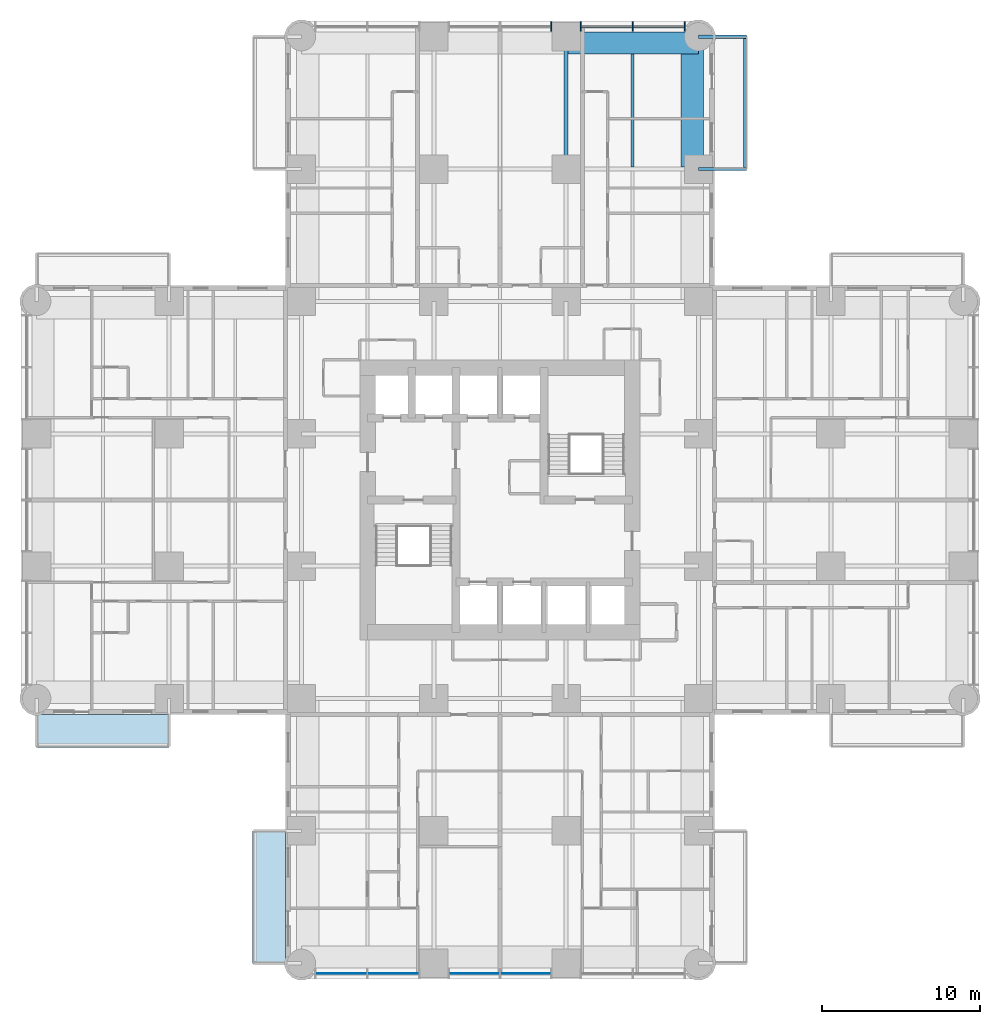
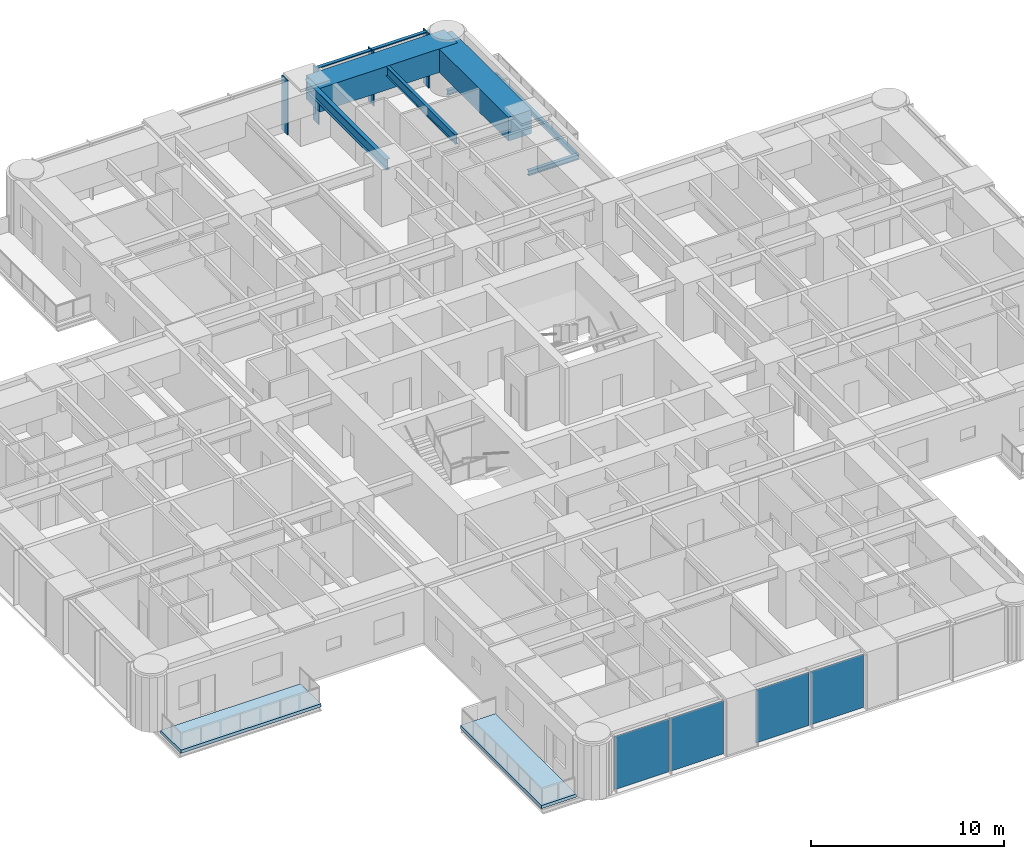
# One storey, part 5 of 17: 7 beams, 6 members, 4 plates, 2 slabs, 2 elements without a shape of their own.
"""IFC4 building model written with IfcOpenShell, lengths in metres."""

from ifc_helpers import new_model, si_unit, direction, frame, origin, origin_2d, place, context, subcontext, project, spatial, polyline, rectangle, i_section, outline, extrude, material, layer, layer_set, material_profile, profile_set, type_object, element, aggregate, save


model = new_model("IFC4")

# Units and contexts
model_context = context("Model", 3, precision=1e-05, world=origin(), true_north=direction((0.0, 1.0)))
body_context = subcontext(model_context, "Body", "Model", "MODEL_VIEW")
ifc_project = project(units=[si_unit("LENGTHUNIT", "METRE"), si_unit("AREAUNIT", "SQUARE_METRE"), si_unit("VOLUMEUNIT", "CUBIC_METRE"), si_unit("PLANEANGLEUNIT", "RADIAN"), si_unit("MASSUNIT", "GRAM", prefix="KILO")], contexts=[model_context])

# Site, building, storey
site_placement = place(None, origin())
site = spatial("IfcSite", under=ifc_project, at=site_placement, CompositionType="ELEMENT")
building_placement = place(site_placement, origin())
building = spatial("IfcBuilding", under=site, at=building_placement, Name="Torre Alcanfor", CompositionType="ELEMENT")
storey_placement = place(building_placement, frame((0.0, 0.0, 92.10009765625)))
storey = spatial("IfcBuildingStorey", under=building, at=storey_placement, Name="L23", CompositionType="ELEMENT", Elevation=92.10009765625)

# Beams
ifc_material_1 = material(Name="Steel ASTM A992 Grade 50", Category="steel")
ifc_material_profile_1 = material_profile(ifc_material_1, i_section(OverallWidth=0.205322265625, OverallDepth=0.309814453125, WebThickness=0.00927734375, FlangeThickness=0.016357421875, at=origin_2d()), Name="W12x50")
ifc_profile_set_1 = profile_set([ifc_material_profile_1], Name="Steel ASTM A992 Grade 50")
beam_type_1 = type_object("IfcBeamType", Name="Balcony cantilever beam W12x50", PredefinedType="BEAM", material=ifc_profile_set_1)
for number, where, z_axis, x_axis, name in (
    (1, (42.0, 50.39990234375, -0.35498046875), (1.0, 0.0, 0.0), (0.0, 1.0, 0.0), "Balcony cantilever beam L23-N2 1"),
    (2, (42.0, 58.800048828125, -0.35498046875), (1.0, 0.0, 0.0), (0.0, 1.0, 0.0), "Balcony cantilever beam L23-N2 2"),
):
    element("IfcBeam", number, at=place(storey_placement, frame(where, z_axis=z_axis, x_axis=x_axis)), inside=storey, type_object=beam_type_1, Name=name, PredefinedType="BEAM", context=body_context, shape_type="SweptSolid", body=[
        extrude(i_section(OverallWidth=0.205322265625, OverallDepth=0.309814453125, WebThickness=0.00927734375, FlangeThickness=0.016357421875, at=origin_2d()), origin(), (0.0, 0.0, 1.0), 3.050048828125),
    ])
ifc_material_2 = material(Name="Steel ASTM A992 Grade 50", Category="steel")
ifc_material_profile_2 = material_profile(ifc_material_2, i_section(OverallWidth=0.203369140625, OverallDepth=0.30224609375, WebThickness=0.007568359375, FlangeThickness=0.01318359375, at=origin_2d()), Name="W12x40")
ifc_profile_set_2 = profile_set([ifc_material_profile_2], Name="Steel ASTM A992 Grade 50")
beam_type_2 = type_object("IfcBeamType", Name="Balcony edge trimmer W12x40", PredefinedType="BEAM", material=ifc_profile_set_2)
beam_1_placement = place(storey_placement, frame((44.9482421875, 50.39990234375, -0.351318359375), z_axis=(0.0, 1.0, 0.0), x_axis=(-1.0, 0.0, 0.0)))
element("IfcBeam", 3, at=beam_1_placement, inside=storey, type_object=beam_type_2, Name="Balcony edge trimmer L23-N2", PredefinedType="BEAM", context=body_context, shape_type="SweptSolid", body=[
    extrude(i_section(OverallWidth=0.203369140625, OverallDepth=0.30224609375, WebThickness=0.007568359375, FlangeThickness=0.01318359375, at=origin_2d()), origin(), (0.0, 0.0, 1.0), 8.400146484375),
])

# Curtain wall, members
ifc_material_3 = material(Name="Aluminium and glass", Category="aluminium")
curtain_wall_type = type_object("IfcCurtainWallType", Name="CW-A unitised apartment glazing with vertical FIN", PredefinedType="NOTDEFINED", material=ifc_material_3)
curtain_wall_1_placement = place(storey_placement, origin())
curtain_wall_1 = element("IfcCurtainWall", 4, at=curtain_wall_1_placement, inside=storey, type_object=curtain_wall_type, Name="Curtain wall CW-A L23 11", PredefinedType="NOTDEFINED")
ifc_material_4 = material(Name="Bronze anodised aluminium", Category="aluminium")
ifc_material_profile_3 = material_profile(ifc_material_4, rectangle(XDim=0.60009765625, YDim=0.06494140625, at=origin_2d()), Name="CW-A mullion 65x600")
ifc_profile_set_3 = profile_set([ifc_material_profile_3], Name="Bronze anodised aluminium")
member_type_1 = type_object("IfcMemberType", Name="CW-A mullion with vertical FIN 65x600", PredefinedType="MULLION", material=ifc_profile_set_3)
member_1_placement = place(storey_placement, frame((41.133056640625, 59.449951171875, 0.0), z_axis=(0.0, 0.0, 1.0), x_axis=(0.0, -1.0, 0.0)))
member_1 = element("IfcMember", 5, at=member_1_placement, type_object=member_type_1, Name="CW-A mullion 1.1", PredefinedType="MULLION", context=body_context, shape_type="SweptSolid", body=[
    extrude(rectangle(XDim=0.60009765625, YDim=0.06494140625, at=origin_2d()), origin(), (0.0, 0.0, 1.0), 3.449951171875),
])
member_2_placement = place(storey_placement, frame((37.835205078125, 59.449951171875, 0.0), z_axis=(0.0, 0.0, 1.0), x_axis=(0.0, -1.0, 0.0)))
member_2 = element("IfcMember", 6, at=member_2_placement, type_object=member_type_1, Name="CW-A mullion 1.2", PredefinedType="MULLION", context=body_context, shape_type="SweptSolid", body=[
    extrude(rectangle(XDim=0.60009765625, YDim=0.06494140625, at=origin_2d()), origin(), (0.0, 0.0, 1.0), 3.449951171875),
])
member_3_placement = place(storey_placement, frame((34.53759765625, 59.449951171875, 0.0), z_axis=(0.0, 0.0, 1.0), x_axis=(0.0, -1.0, 0.0)))
member_3 = element("IfcMember", 7, at=member_3_placement, type_object=member_type_1, Name="CW-A mullion 1.3", PredefinedType="MULLION", context=body_context, shape_type="SweptSolid", body=[
    extrude(rectangle(XDim=0.60009765625, YDim=0.06494140625, at=origin_2d()), origin(), (0.0, 0.0, 1.0), 3.449951171875),
])
member_4_placement = place(storey_placement, frame((32.66259765625, 59.449951171875, 0.0), z_axis=(0.0, 0.0, 1.0), x_axis=(0.0, -1.0, 0.0)))
member_4 = element("IfcMember", 8, at=member_4_placement, type_object=member_type_1, Name="CW-A mullion 2.1", PredefinedType="MULLION", context=body_context, shape_type="SweptSolid", body=[
    extrude(rectangle(XDim=0.60009765625, YDim=0.06494140625, at=origin_2d()), origin(), (0.0, 0.0, 1.0), 3.449951171875),
])
ifc_material_5 = material(Name="Extruded aluminium", Category="aluminium")
ifc_material_profile_4 = material_profile(ifc_material_5, rectangle(XDim=0.199951171875, YDim=0.06494140625, at=origin_2d()), Name="CW-A transom 200x65")
ifc_profile_set_4 = profile_set([ifc_material_profile_4], Name="Extruded aluminium")
member_type_2 = type_object("IfcMemberType", Name="CW-A transom 65x200", PredefinedType="USERDEFINED", material=ifc_profile_set_4)
member_5_placement = place(storey_placement, frame((41.1005859375, 59.449951171875, 3.41748046875), z_axis=(-1.0, 0.0, 0.0), x_axis=(0.0, -1.0, 0.0)))
member_5 = element("IfcMember", 9, at=member_5_placement, type_object=member_type_2, Name="CW-A transom 1.1.2", ObjectType="TRANSOM", PredefinedType="USERDEFINED", context=body_context, shape_type="SweptSolid", body=[
    extrude(rectangle(XDim=0.199951171875, YDim=0.06494140625, at=origin_2d()), origin(), (0.0, 0.0, 1.0), 3.23291015625),
])
member_6_placement = place(storey_placement, frame((37.802734375, 59.449951171875, 3.41748046875), z_axis=(-1.0, 0.0, 0.0), x_axis=(0.0, -1.0, 0.0)))
member_6 = element("IfcMember", 10, at=member_6_placement, type_object=member_type_2, Name="CW-A transom 1.2.2", ObjectType="TRANSOM", PredefinedType="USERDEFINED", context=body_context, shape_type="SweptSolid", body=[
    extrude(rectangle(XDim=0.199951171875, YDim=0.06494140625, at=origin_2d()), origin(), (0.0, 0.0, 1.0), 3.232666015625),
])
aggregate(curtain_wall_1, [member_1, member_2, member_3, member_5, member_6, member_4])

# Beams
ifc_material_6 = material(Name="Steel ASTM A992 Grade 50", Category="steel")
ifc_material_profile_5 = material_profile(ifc_material_6, i_section(OverallWidth=0.25390625, OverallDepth=0.683349609375, WebThickness=0.012451171875, FlangeThickness=0.01904296875, at=origin_2d()), Name="W27x94")
ifc_profile_set_5 = profile_set([ifc_material_profile_5], Name="Steel ASTM A992 Grade 50")
beam_type_3 = type_object("IfcBeamType", Name="Girder W27x94", PredefinedType="BEAM", material=ifc_profile_set_5)
beam_2_placement = place(storey_placement, frame((33.60009765625, 50.39990234375, 3.108154296875), z_axis=(0.0, 1.0, 0.0), x_axis=(-1.0, 0.0, 0.0)))
element("IfcBeam", 11, at=beam_2_placement, inside=storey, type_object=beam_type_3, Name="Beam 5J-5K under L24", PredefinedType="BEAM", context=body_context, shape_type="SweptSolid", body=[
    extrude(i_section(OverallWidth=0.25390625, OverallDepth=0.683349609375, WebThickness=0.012451171875, FlangeThickness=0.01904296875, at=origin_2d()), origin(), (0.0, 0.0, 1.0), 8.400146484375),
])
ifc_material_7 = material(Name="Concrete f'c 70 MPa", Category="concrete")
ifc_material_profile_6 = material_profile(ifc_material_7, rectangle(XDim=1.39990234375, YDim=1.5, at=origin_2d()), Name="1400x1500")
ifc_profile_set_6 = profile_set([ifc_material_profile_6], Name="Concrete f'c 70 MPa")
beam_type_4 = type_object("IfcBeamType", Name="RC perimeter beam 1400x1500", PredefinedType="BEAM", material=ifc_profile_set_6)
for number, where, z_axis, x_axis, name in (
    (12, (33.72705078125, 58.39990234375, 2.699951171875), (1.0, 0.0, 0.0), (0.0, 1.0, 0.0), "Beam 5K-6K under L24"),
    (13, (41.60009765625, 50.527099609375, 2.699951171875), (0.0, 1.0, 0.0), (-1.0, 0.0, 0.0), "Beam 6J-6K under L24"),
):
    element("IfcBeam", number, at=place(storey_placement, frame(where, z_axis=z_axis, x_axis=x_axis)), inside=storey, type_object=beam_type_4, Name=name, PredefinedType="BEAM", context=body_context, shape_type="SweptSolid", body=[
        extrude(rectangle(XDim=1.39990234375, YDim=1.5, at=origin_2d()), origin(), (0.0, 0.0, 1.0), 8.27294921875),
    ])
ifc_material_8 = material(Name="Steel ASTM A992 Grade 50", Category="steel")
ifc_material_profile_7 = material_profile(ifc_material_8, i_section(OverallWidth=0.1787109375, OverallDepth=0.60205078125, WebThickness=0.010986328125, FlangeThickness=0.014892578125, at=origin_2d()), Name="W24x62")
ifc_profile_set_7 = profile_set([ifc_material_profile_7], Name="Steel ASTM A992 Grade 50")
beam_type_5 = type_object("IfcBeamType", Name="Secondary beam W24x62", PredefinedType="BEAM", material=ifc_profile_set_7)
beam_3_placement = place(storey_placement, frame((37.800048828125, 50.527099609375, 3.14892578125), z_axis=(0.0, 1.0, 0.0), x_axis=(-1.0, 0.0, 0.0)))
element("IfcBeam", 14, at=beam_3_placement, inside=storey, type_object=beam_type_5, Name="Beam 37_8J-37_8K under L24", PredefinedType="BEAM", context=body_context, shape_type="SweptSolid", body=[
    extrude(i_section(OverallWidth=0.1787109375, OverallDepth=0.60205078125, WebThickness=0.010986328125, FlangeThickness=0.014892578125, at=origin_2d()), origin(), (0.0, 0.0, 1.0), 7.1728515625),
])

# Slabs
ifc_material_9 = material(Name="Concrete f'c 35 MPa", Category="concrete")
ifc_layer_1 = layer(ifc_material_9, 0.199951171875)
ifc_layer_set_1 = layer_set([ifc_layer_1], Name="Balcony slab 200")
slab_type = type_object("IfcSlabType", Name="Balcony slab 200", PredefinedType="FLOOR", material=ifc_layer_set_1)
slab_1_placement = place(storey_placement, frame((0.0, 0.0, -0.2001953125)))
element("IfcSlab", 15, at=slab_1_placement, inside=storey, type_object=slab_type, Name="Balcony L23-S2", PredefinedType="FLOOR", context=body_context, shape_type="SweptSolid", body=[
    extrude(outline(polyline([(13.699951171875, 8.39990234375), (13.699951171875, 0.0), (15.800048828125, 0.0), (15.800048828125, 8.39990234375), (13.699951171875, 8.39990234375)])), origin(), (0.0, 0.0, 1.0), 0.2001953125),
])
slab_2_placement = place(storey_placement, frame((0.0, 0.0, -0.2001953125)))
element("IfcSlab", 16, at=slab_2_placement, inside=storey, type_object=slab_type, Name="Balcony L23-W1", PredefinedType="FLOOR", context=body_context, shape_type="SweptSolid", body=[
    extrude(outline(polyline([(8.39990234375, 15.800048828125), (0.0, 15.800048828125), (0.0, 13.699951171875), (8.39990234375, 13.699951171875), (8.39990234375, 15.800048828125)])), origin(), (0.0, 0.0, 1.0), 0.2001953125),
])

# Curtain wall, plates
curtain_wall_2_placement = place(storey_placement, origin())
curtain_wall_2 = element("IfcCurtainWall", 17, at=curtain_wall_2_placement, inside=storey, type_object=curtain_wall_type, Name="Curtain wall CW-A L23 5", PredefinedType="NOTDEFINED")
ifc_material_10 = material(Name="Glass", Category="glass")
ifc_layer_2 = layer(ifc_material_10, 0.028076171875)
ifc_layer_set_2 = layer_set([ifc_layer_2], Name="CW-A clear double glazed unit")
plate_type = type_object("IfcPlateType", Name="CW-A clear double glazed unit", PredefinedType="CURTAIN_PANEL", material=ifc_layer_set_2)
plate_1_placement = place(storey_placement, frame((19.31591796875, -0.64990234375, 0.0), z_axis=(0.0, 0.0, 1.0), x_axis=(1.0, 0.0, 0.0)))
plate_1 = element("IfcPlate", 18, at=plate_1_placement, type_object=plate_type, Name="CW-A panel 1.1.1", PredefinedType="CURTAIN_PANEL", context=body_context, shape_type="SweptSolid", body=[
    extrude(rectangle(XDim=3.232666015625, YDim=0.028076171875, at=origin_2d()), origin(), (0.0, 0.0, 1.0), 3.385009765625),
])
plate_2_placement = place(storey_placement, frame((22.613525390625, -0.64990234375, 0.0), z_axis=(0.0, 0.0, 1.0), x_axis=(1.0, 0.0, 0.0)))
plate_2 = element("IfcPlate", 19, at=plate_2_placement, type_object=plate_type, Name="CW-A panel 1.2.1", PredefinedType="CURTAIN_PANEL", context=body_context, shape_type="SweptSolid", body=[
    extrude(rectangle(XDim=3.232666015625, YDim=0.028076171875, at=origin_2d()), origin(), (0.0, 0.0, 1.0), 3.385009765625),
])
plate_3_placement = place(storey_placement, frame((27.768798828125, -0.64990234375, 0.0), z_axis=(0.0, 0.0, 1.0), x_axis=(1.0, 0.0, 0.0)))
plate_3 = element("IfcPlate", 20, at=plate_3_placement, type_object=plate_type, Name="CW-A panel 2.1.1", PredefinedType="CURTAIN_PANEL", context=body_context, shape_type="SweptSolid", body=[
    extrude(rectangle(XDim=3.197509765625, YDim=0.028076171875, at=origin_2d()), origin(), (0.0, 0.0, 1.0), 3.385009765625),
])
plate_4_placement = place(storey_placement, frame((31.03125, -0.64990234375, 0.0), z_axis=(0.0, 0.0, 1.0), x_axis=(1.0, 0.0, 0.0)))
plate_4 = element("IfcPlate", 21, at=plate_4_placement, type_object=plate_type, Name="CW-A panel 2.2.1", PredefinedType="CURTAIN_PANEL", context=body_context, shape_type="SweptSolid", body=[
    extrude(rectangle(XDim=3.197509765625, YDim=0.028076171875, at=origin_2d()), origin(), (0.0, 0.0, 1.0), 3.385009765625),
])
aggregate(curtain_wall_2, [plate_1, plate_2, plate_3, plate_4])

save(model, "model.ifc")
